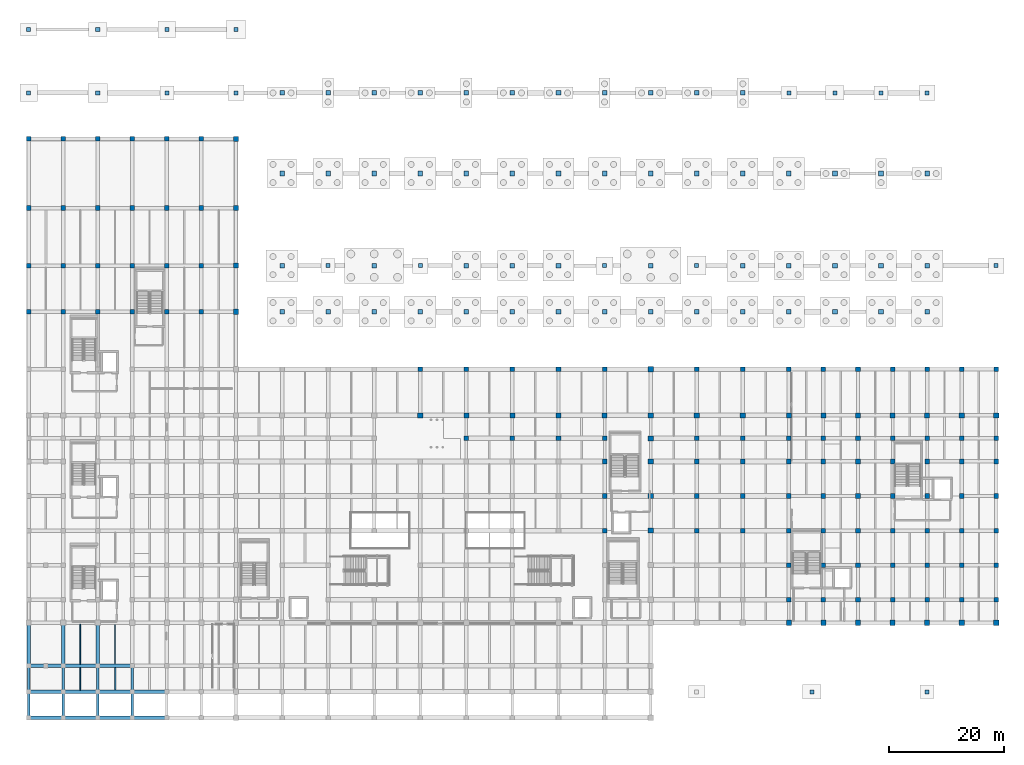
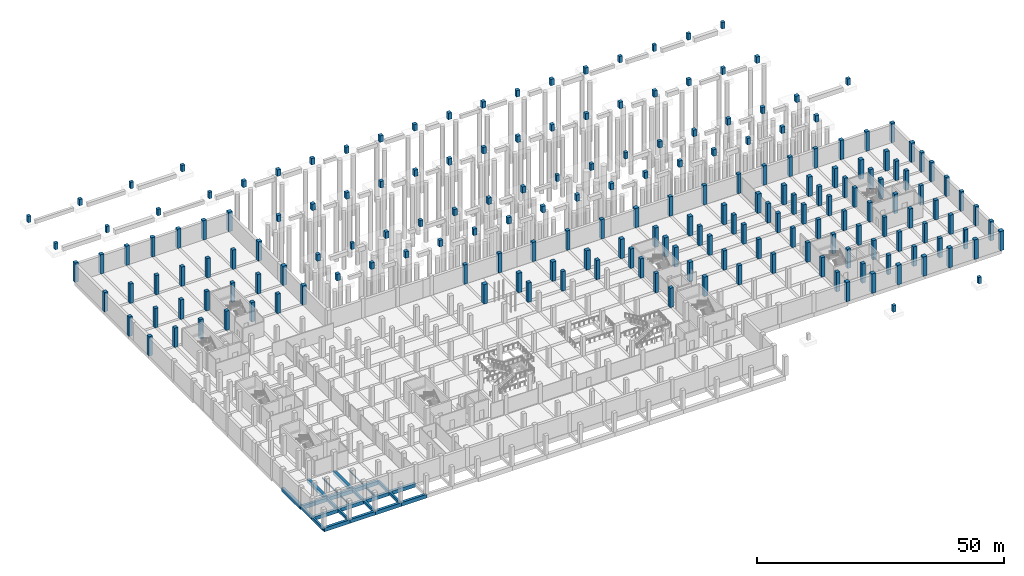
# One storey, part 10 of 36: 197 columns, 27 beams.
"""IFC4 building model written with IfcOpenShell, lengths in metres."""

from ifc_helpers import new_model, si_unit, direction, frame, origin, origin_2d, place, context, subcontext, project, spatial, rectangle, i_section, extrude, material, material_profile, profile_set, type_object, element, save


model = new_model("IFC4")

# Units and contexts
model_context = context("Model", 3, precision=1e-05, world=origin(), true_north=direction((0.0, 1.0)))
body_context = subcontext(model_context, "Body", "Model", "MODEL_VIEW")
ifc_project = project(units=[si_unit("LENGTHUNIT", "METRE"), si_unit("AREAUNIT", "SQUARE_METRE"), si_unit("VOLUMEUNIT", "CUBIC_METRE"), si_unit("PLANEANGLEUNIT", "RADIAN"), si_unit("MASSUNIT", "GRAM", prefix="KILO")], contexts=[model_context])

# Site, building, storey
site_placement = place(None, origin())
site = spatial("IfcSite", under=ifc_project, at=site_placement, CompositionType="ELEMENT")
building_placement = place(site_placement, origin())
building = spatial("IfcBuilding", under=site, at=building_placement, Name="Verrall Gate Interchange", CompositionType="ELEMENT")
storey_placement = place(building_placement, frame((0.0, 0.0, -4.800048828125)))
storey = spatial("IfcBuildingStorey", under=building, at=storey_placement, Name="B1", CompositionType="ELEMENT", Elevation=-4.800048828125)

# Columns
ifc_material_1 = material(Name="Concrete CSA A23.1 40 MPa (Class N)", Category="concrete")
ifc_material_profile_1 = material_profile(ifc_material_1, rectangle(XDim=0.89990234375, YDim=0.89990234375, at=origin_2d()), Name="RC900x900")
ifc_profile_set_1 = profile_set([ifc_material_profile_1], Name="Concrete CSA A23.1 40 MPa (Class N)")
column_type_1 = type_object("IfcColumnType", Name="C-01 Column RC900x900", PredefinedType="COLUMN", material=ifc_profile_set_1)
for number, where, z_axis, x_axis, name in (
    (1, (36.0, 66.0, 0.0), (0.0, 0.0, 1.0), (1.0, 0.0, 0.0), "B1 Column COL-B1-0803 (C-01)"),
    (2, (36.0, 74.0, 0.0), (0.0, 0.0, 1.0), (1.0, 0.0, 0.0), "B1 Column COL-B1-0810 (C-01)"),
    (3, (36.0, 84.0, 0.0), (0.0, 0.0, 1.0), (1.0, 0.0, 0.0), "B1 Column COL-B1-0816 (C-01)"),
    (4, (36.0, 96.0, 0.0), (0.0, 0.0, 1.0), (1.0, 0.0, 0.0), "B1 Column COL-B1-0821 (C-01)"),
    (5, (68.0, 48.0, 0.0), (0.0, 0.0, 1.0), (1.0, 0.0, 0.0), "B1 Column COL-B1-0963 (C-01)"),
    (6, (76.0, 48.0, 0.0), (0.0, 0.0, 1.0), (1.0, 0.0, 0.0), "B1 Column COL-B1-1001 (C-01)"),
    (7, (84.0, 48.0, 0.0), (0.0, 0.0, 1.0), (1.0, 0.0, 0.0), "B1 Column COL-B1-1039 (C-01)"),
    (8, (92.0, 48.0, 0.0), (0.0, 0.0, 1.0), (1.0, 0.0, 0.0), "B1 Column COL-B1-1075 (C-01)"),
    (9, (100.0, 48.0, 0.0), (0.0, 0.0, 1.0), (1.0, 0.0, 0.0), "B1 Column COL-B1-1113 (C-01)"),
    (10, (108.0, 28.0, 0.0), (0.0, 0.0, 1.0), (1.0, 0.0, 0.0), "B1 Column COL-B1-1143 (C-01)"),
    (11, (108.0, 34.0, 0.0), (0.0, 0.0, 1.0), (1.0, 0.0, 0.0), "B1 Column COL-B1-1147 (C-01)"),
    (12, (108.0, 40.0, 0.0), (0.0, 0.0, 1.0), (1.0, 0.0, 0.0), "B1 Column COL-B1-1151 (C-01)"),
    (13, (108.0, 44.0, 0.0), (0.0, 0.0, 1.0), (1.0, 0.0, 0.0), "B1 Column COL-B1-1155 (C-01)"),
    (14, (108.0, 48.0, 0.0), (0.0, 0.0, 1.0), (1.0, 0.0, 0.0), "B1 Column COL-B1-1159 (C-01)"),
    (15, (108.0, 56.0, 0.0), (0.0, 0.0, 1.0), (1.0, 0.0, 0.0), "B1 Column COL-B1-1163 (C-01)"),
    (16, (116.0, 48.0, 0.0), (0.0, 0.0, 1.0), (1.0, 0.0, 0.0), "B1 Column COL-B1-1181 (C-01)"),
    (17, (124.0, 48.0, 0.0), (0.0, 0.0, 1.0), (1.0, 0.0, 0.0), "B1 Column COL-B1-1203 (C-01)"),
    (18, (132.0, 12.0, 0.0), (0.0, 0.0, 1.0), (1.0, 0.0, 0.0), "B1 Column COL-B1-1211 (C-01)"),
    (19, (132.0, 48.0, 0.0), (0.0, 0.0, 1.0), (1.0, 0.0, 0.0), "B1 Column COL-B1-1246 (C-01)"),
    (20, (138.0, 12.0, 0.0), (0.0, 0.0, 1.0), (1.0, 0.0, 0.0), "B1 Column COL-B1-1254 (C-01)"),
    (21, (138.0, 48.0, 0.0), (0.0, 0.0, 1.0), (1.0, 0.0, 0.0), "B1 Column COL-B1-1289 (C-01)"),
    (22, (144.0, 12.0, 0.0), (0.0, 0.0, 1.0), (1.0, 0.0, 0.0), "B1 Column COL-B1-1297 (C-01)"),
    (23, (144.0, 48.0, 0.0), (0.0, 0.0, 1.0), (1.0, 0.0, 0.0), "B1 Column COL-B1-1332 (C-01)"),
    (24, (150.0, 12.0, 0.0), (0.0, 0.0, 1.0), (1.0, 0.0, 0.0), "B1 Column COL-B1-1340 (C-01)"),
    (25, (150.0, 48.0, 0.0), (0.0, 0.0, 1.0), (1.0, 0.0, 0.0), "B1 Column COL-B1-1375 (C-01)"),
    (26, (156.0, 12.0, 0.0), (0.0, 0.0, 1.0), (1.0, 0.0, 0.0), "B1 Column COL-B1-1383 (C-01)"),
    (27, (156.0, 48.0, 0.0), (0.0, 0.0, 1.0), (1.0, 0.0, 0.0), "B1 Column COL-B1-1418 (C-01)"),
    (28, (162.0, 12.0, 0.0), (0.0, 0.0, 1.0), (1.0, 0.0, 0.0), "B1 Column COL-B1-1426 (C-01)"),
    (29, (162.0, 48.0, 0.0), (0.0, 0.0, 1.0), (1.0, 0.0, 0.0), "B1 Column COL-B1-1461 (C-01)"),
    (30, (168.0, 12.0, 0.0), (0.0, 0.0, 1.0), (1.0, 0.0, 0.0), "B1 Column COL-B1-1469 (C-01)"),
    (31, (168.0, 48.0, 0.0), (0.0, 0.0, 1.0), (1.0, 0.0, 0.0), "B1 Column COL-B1-1504 (C-01)"),
):
    element("IfcColumn", number, at=place(storey_placement, frame(where, z_axis=z_axis, x_axis=x_axis)), inside=storey, type_object=column_type_1, Name=name, PredefinedType="COLUMN", context=body_context, shape_type="SweptSolid", body=[
        extrude(rectangle(XDim=0.89990234375, YDim=0.89990234375, at=origin_2d()), origin(), (0.0, 0.0, 1.0), 4.800048828125),
    ])
ifc_material_2 = material(Name="Concrete CSA A23.1 40 MPa (Class N)", Category="concrete")
ifc_material_profile_2 = material_profile(ifc_material_2, rectangle(XDim=0.800048828125, YDim=0.800048828125, at=origin_2d()), Name="RC800x800")
ifc_profile_set_2 = profile_set([ifc_material_profile_2], Name="Concrete CSA A23.1 40 MPa (Class N)")
column_type_2 = type_object("IfcColumnType", Name="C-02 Column RC800x800", PredefinedType="COLUMN", material=ifc_profile_set_2)
for number, where, z_axis, x_axis, name in (
    (32, (0.0, 66.0, 0.0), (0.0, 0.0, 1.0), (1.0, 0.0, 0.0), "B1 Column COL-B1-0080 (C-02)"),
    (33, (0.0, 74.0, 0.0), (0.0, 0.0, 1.0), (1.0, 0.0, 0.0), "B1 Column COL-B1-0087 (C-02)"),
    (34, (0.0, 84.0, 0.0), (0.0, 0.0, 1.0), (1.0, 0.0, 0.0), "B1 Column COL-B1-0093 (C-02)"),
    (35, (0.0, 96.0, 0.0), (0.0, 0.0, 1.0), (1.0, 0.0, 0.0), "B1 Column COL-B1-0098 (C-02)"),
    (36, (6.0, 66.0, 0.0), (0.0, 0.0, 1.0), (1.0, 0.0, 0.0), "B1 Column COL-B1-0225 (C-02)"),
    (37, (6.0, 74.0, 0.0), (0.0, 0.0, 1.0), (1.0, 0.0, 0.0), "B1 Column COL-B1-0232 (C-02)"),
    (38, (6.0, 84.0, 0.0), (0.0, 0.0, 1.0), (1.0, 0.0, 0.0), "B1 Column COL-B1-0238 (C-02)"),
    (39, (6.0, 96.0, 0.0), (0.0, 0.0, 1.0), (1.0, 0.0, 0.0), "B1 Column COL-B1-0243 (C-02)"),
    (40, (12.0, 66.0, 0.0), (0.0, 0.0, 1.0), (1.0, 0.0, 0.0), "B1 Column COL-B1-0342 (C-02)"),
    (41, (12.0, 74.0, 0.0), (0.0, 0.0, 1.0), (1.0, 0.0, 0.0), "B1 Column COL-B1-0349 (C-02)"),
    (42, (12.0, 84.0, 0.0), (0.0, 0.0, 1.0), (1.0, 0.0, 0.0), "B1 Column COL-B1-0355 (C-02)"),
    (43, (12.0, 96.0, 0.0), (0.0, 0.0, 1.0), (1.0, 0.0, 0.0), "B1 Column COL-B1-0360 (C-02)"),
    (44, (18.0, 66.0, 0.0), (0.0, 0.0, 1.0), (1.0, 0.0, 0.0), "B1 Column COL-B1-0459 (C-02)"),
    (45, (18.0, 74.0, 0.0), (0.0, 0.0, 1.0), (1.0, 0.0, 0.0), "B1 Column COL-B1-0466 (C-02)"),
    (46, (18.0, 84.0, 0.0), (0.0, 0.0, 1.0), (1.0, 0.0, 0.0), "B1 Column COL-B1-0472 (C-02)"),
    (47, (18.0, 96.0, 0.0), (0.0, 0.0, 1.0), (1.0, 0.0, 0.0), "B1 Column COL-B1-0477 (C-02)"),
    (48, (24.0, 66.0, 0.0), (0.0, 0.0, 1.0), (1.0, 0.0, 0.0), "B1 Column COL-B1-0576 (C-02)"),
    (49, (24.0, 74.0, 0.0), (0.0, 0.0, 1.0), (1.0, 0.0, 0.0), "B1 Column COL-B1-0583 (C-02)"),
    (50, (24.0, 84.0, 0.0), (0.0, 0.0, 1.0), (1.0, 0.0, 0.0), "B1 Column COL-B1-0589 (C-02)"),
    (51, (24.0, 96.0, 0.0), (0.0, 0.0, 1.0), (1.0, 0.0, 0.0), "B1 Column COL-B1-0594 (C-02)"),
    (52, (30.0, 66.0, 0.0), (0.0, 0.0, 1.0), (1.0, 0.0, 0.0), "B1 Column COL-B1-0693 (C-02)"),
    (53, (30.0, 74.0, 0.0), (0.0, 0.0, 1.0), (1.0, 0.0, 0.0), "B1 Column COL-B1-0700 (C-02)"),
    (54, (30.0, 84.0, 0.0), (0.0, 0.0, 1.0), (1.0, 0.0, 0.0), "B1 Column COL-B1-0706 (C-02)"),
    (55, (30.0, 96.0, 0.0), (0.0, 0.0, 1.0), (1.0, 0.0, 0.0), "B1 Column COL-B1-0711 (C-02)"),
    (56, (68.0, 56.0, 0.0), (0.0, 0.0, 1.0), (1.0, 0.0, 0.0), "B1 Column COL-B1-0967 (C-02)"),
    (57, (76.0, 44.0, 0.0), (0.0, 0.0, 1.0), (1.0, 0.0, 0.0), "B1 Column COL-B1-0997 (C-02)"),
    (58, (76.0, 56.0, 0.0), (0.0, 0.0, 1.0), (1.0, 0.0, 0.0), "B1 Column COL-B1-1005 (C-02)"),
    (59, (84.0, 44.0, 0.0), (0.0, 0.0, 1.0), (1.0, 0.0, 0.0), "B1 Column COL-B1-1035 (C-02)"),
    (60, (84.0, 56.0, 0.0), (0.0, 0.0, 1.0), (1.0, 0.0, 0.0), "B1 Column COL-B1-1043 (C-02)"),
    (61, (92.0, 44.0, 0.0), (0.0, 0.0, 1.0), (1.0, 0.0, 0.0), "B1 Column COL-B1-1071 (C-02)"),
    (62, (92.0, 56.0, 0.0), (0.0, 0.0, 1.0), (1.0, 0.0, 0.0), "B1 Column COL-B1-1079 (C-02)"),
    (63, (100.0, 28.0, 0.0), (0.0, 0.0, 1.0), (1.0, 0.0, 0.0), "B1 Column COL-B1-1103 (C-02)"),
    (64, (100.0, 34.0, 0.0), (0.0, 0.0, 1.0), (1.0, 0.0, 0.0), "B1 Column COL-B1-1105 (C-02)"),
    (65, (100.0, 40.0, 0.0), (0.0, 0.0, 1.0), (1.0, 0.0, 0.0), "B1 Column COL-B1-1107 (C-02)"),
    (66, (100.0, 44.0, 0.0), (0.0, 0.0, 1.0), (1.0, 0.0, 0.0), "B1 Column COL-B1-1109 (C-02)"),
    (67, (100.0, 56.0, 0.0), (0.0, 0.0, 1.0), (1.0, 0.0, 0.0), "B1 Column COL-B1-1117 (C-02)"),
    (68, (116.0, 28.0, 0.0), (0.0, 0.0, 1.0), (1.0, 0.0, 0.0), "B1 Column COL-B1-1173 (C-02)"),
    (69, (116.0, 34.0, 0.0), (0.0, 0.0, 1.0), (1.0, 0.0, 0.0), "B1 Column COL-B1-1175 (C-02)"),
    (70, (116.0, 40.0, 0.0), (0.0, 0.0, 1.0), (1.0, 0.0, 0.0), "B1 Column COL-B1-1177 (C-02)"),
    (71, (116.0, 44.0, 0.0), (0.0, 0.0, 1.0), (1.0, 0.0, 0.0), "B1 Column COL-B1-1179 (C-02)"),
    (72, (116.0, 56.0, 0.0), (0.0, 0.0, 1.0), (1.0, 0.0, 0.0), "B1 Column COL-B1-1185 (C-02)"),
    (73, (124.0, 28.0, 0.0), (0.0, 0.0, 1.0), (1.0, 0.0, 0.0), "B1 Column COL-B1-1195 (C-02)"),
    (74, (124.0, 34.0, 0.0), (0.0, 0.0, 1.0), (1.0, 0.0, 0.0), "B1 Column COL-B1-1197 (C-02)"),
    (75, (124.0, 40.0, 0.0), (0.0, 0.0, 1.0), (1.0, 0.0, 0.0), "B1 Column COL-B1-1199 (C-02)"),
    (76, (124.0, 44.0, 0.0), (0.0, 0.0, 1.0), (1.0, 0.0, 0.0), "B1 Column COL-B1-1201 (C-02)"),
    (77, (124.0, 56.0, 0.0), (0.0, 0.0, 1.0), (1.0, 0.0, 0.0), "B1 Column COL-B1-1207 (C-02)"),
    (78, (132.0, 16.0, 0.0), (0.0, 0.0, 1.0), (1.0, 0.0, 0.0), "B1 Column COL-B1-1216 (C-02)"),
    (79, (132.0, 22.0, 0.0), (0.0, 0.0, 1.0), (1.0, 0.0, 0.0), "B1 Column COL-B1-1221 (C-02)"),
    (80, (132.0, 28.0, 0.0), (0.0, 0.0, 1.0), (1.0, 0.0, 0.0), "B1 Column COL-B1-1226 (C-02)"),
    (81, (132.0, 34.0, 0.0), (0.0, 0.0, 1.0), (1.0, 0.0, 0.0), "B1 Column COL-B1-1231 (C-02)"),
    (82, (132.0, 40.0, 0.0), (0.0, 0.0, 1.0), (1.0, 0.0, 0.0), "B1 Column COL-B1-1236 (C-02)"),
    (83, (132.0, 44.0, 0.0), (0.0, 0.0, 1.0), (1.0, 0.0, 0.0), "B1 Column COL-B1-1241 (C-02)"),
    (84, (132.0, 56.0, 0.0), (0.0, 0.0, 1.0), (1.0, 0.0, 0.0), "B1 Column COL-B1-1250 (C-02)"),
    (85, (138.0, 16.0, 0.0), (0.0, 0.0, 1.0), (1.0, 0.0, 0.0), "B1 Column COL-B1-1259 (C-02)"),
    (86, (138.0, 22.0, 0.0), (0.0, 0.0, 1.0), (1.0, 0.0, 0.0), "B1 Column COL-B1-1264 (C-02)"),
    (87, (138.0, 28.0, 0.0), (0.0, 0.0, 1.0), (1.0, 0.0, 0.0), "B1 Column COL-B1-1269 (C-02)"),
    (88, (138.0, 34.0, 0.0), (0.0, 0.0, 1.0), (1.0, 0.0, 0.0), "B1 Column COL-B1-1274 (C-02)"),
    (89, (138.0, 40.0, 0.0), (0.0, 0.0, 1.0), (1.0, 0.0, 0.0), "B1 Column COL-B1-1279 (C-02)"),
    (90, (138.0, 44.0, 0.0), (0.0, 0.0, 1.0), (1.0, 0.0, 0.0), "B1 Column COL-B1-1284 (C-02)"),
    (91, (138.0, 56.0, 0.0), (0.0, 0.0, 1.0), (1.0, 0.0, 0.0), "B1 Column COL-B1-1293 (C-02)"),
    (92, (144.0, 16.0, 0.0), (0.0, 0.0, 1.0), (1.0, 0.0, 0.0), "B1 Column COL-B1-1302 (C-02)"),
    (93, (144.0, 22.0, 0.0), (0.0, 0.0, 1.0), (1.0, 0.0, 0.0), "B1 Column COL-B1-1307 (C-02)"),
    (94, (144.0, 28.0, 0.0), (0.0, 0.0, 1.0), (1.0, 0.0, 0.0), "B1 Column COL-B1-1312 (C-02)"),
    (95, (144.0, 34.0, 0.0), (0.0, 0.0, 1.0), (1.0, 0.0, 0.0), "B1 Column COL-B1-1317 (C-02)"),
    (96, (144.0, 40.0, 0.0), (0.0, 0.0, 1.0), (1.0, 0.0, 0.0), "B1 Column COL-B1-1322 (C-02)"),
    (97, (144.0, 44.0, 0.0), (0.0, 0.0, 1.0), (1.0, 0.0, 0.0), "B1 Column COL-B1-1327 (C-02)"),
    (98, (144.0, 56.0, 0.0), (0.0, 0.0, 1.0), (1.0, 0.0, 0.0), "B1 Column COL-B1-1336 (C-02)"),
    (99, (150.0, 16.0, 0.0), (0.0, 0.0, 1.0), (1.0, 0.0, 0.0), "B1 Column COL-B1-1345 (C-02)"),
    (100, (150.0, 22.0, 0.0), (0.0, 0.0, 1.0), (1.0, 0.0, 0.0), "B1 Column COL-B1-1350 (C-02)"),
    (101, (150.0, 28.0, 0.0), (0.0, 0.0, 1.0), (1.0, 0.0, 0.0), "B1 Column COL-B1-1355 (C-02)"),
    (102, (150.0, 34.0, 0.0), (0.0, 0.0, 1.0), (1.0, 0.0, 0.0), "B1 Column COL-B1-1360 (C-02)"),
    (103, (150.0, 40.0, 0.0), (0.0, 0.0, 1.0), (1.0, 0.0, 0.0), "B1 Column COL-B1-1365 (C-02)"),
    (104, (150.0, 44.0, 0.0), (0.0, 0.0, 1.0), (1.0, 0.0, 0.0), "B1 Column COL-B1-1370 (C-02)"),
    (105, (150.0, 56.0, 0.0), (0.0, 0.0, 1.0), (1.0, 0.0, 0.0), "B1 Column COL-B1-1379 (C-02)"),
    (106, (156.0, 16.0, 0.0), (0.0, 0.0, 1.0), (1.0, 0.0, 0.0), "B1 Column COL-B1-1388 (C-02)"),
    (107, (156.0, 22.0, 0.0), (0.0, 0.0, 1.0), (1.0, 0.0, 0.0), "B1 Column COL-B1-1393 (C-02)"),
    (108, (156.0, 28.0, 0.0), (0.0, 0.0, 1.0), (1.0, 0.0, 0.0), "B1 Column COL-B1-1398 (C-02)"),
    (109, (156.0, 34.0, 0.0), (0.0, 0.0, 1.0), (1.0, 0.0, 0.0), "B1 Column COL-B1-1403 (C-02)"),
    (110, (156.0, 40.0, 0.0), (0.0, 0.0, 1.0), (1.0, 0.0, 0.0), "B1 Column COL-B1-1408 (C-02)"),
    (111, (156.0, 44.0, 0.0), (0.0, 0.0, 1.0), (1.0, 0.0, 0.0), "B1 Column COL-B1-1413 (C-02)"),
    (112, (156.0, 56.0, 0.0), (0.0, 0.0, 1.0), (1.0, 0.0, 0.0), "B1 Column COL-B1-1422 (C-02)"),
    (113, (162.0, 16.0, 0.0), (0.0, 0.0, 1.0), (1.0, 0.0, 0.0), "B1 Column COL-B1-1431 (C-02)"),
    (114, (162.0, 22.0, 0.0), (0.0, 0.0, 1.0), (1.0, 0.0, 0.0), "B1 Column COL-B1-1436 (C-02)"),
    (115, (162.0, 28.0, 0.0), (0.0, 0.0, 1.0), (1.0, 0.0, 0.0), "B1 Column COL-B1-1441 (C-02)"),
    (116, (162.0, 34.0, 0.0), (0.0, 0.0, 1.0), (1.0, 0.0, 0.0), "B1 Column COL-B1-1446 (C-02)"),
    (117, (162.0, 40.0, 0.0), (0.0, 0.0, 1.0), (1.0, 0.0, 0.0), "B1 Column COL-B1-1451 (C-02)"),
    (118, (162.0, 44.0, 0.0), (0.0, 0.0, 1.0), (1.0, 0.0, 0.0), "B1 Column COL-B1-1456 (C-02)"),
    (119, (162.0, 56.0, 0.0), (0.0, 0.0, 1.0), (1.0, 0.0, 0.0), "B1 Column COL-B1-1465 (C-02)"),
    (120, (168.0, 16.0, 0.0), (0.0, 0.0, 1.0), (1.0, 0.0, 0.0), "B1 Column COL-B1-1474 (C-02)"),
    (121, (168.0, 22.0, 0.0), (0.0, 0.0, 1.0), (1.0, 0.0, 0.0), "B1 Column COL-B1-1479 (C-02)"),
    (122, (168.0, 28.0, 0.0), (0.0, 0.0, 1.0), (1.0, 0.0, 0.0), "B1 Column COL-B1-1484 (C-02)"),
    (123, (168.0, 34.0, 0.0), (0.0, 0.0, 1.0), (1.0, 0.0, 0.0), "B1 Column COL-B1-1489 (C-02)"),
    (124, (168.0, 40.0, 0.0), (0.0, 0.0, 1.0), (1.0, 0.0, 0.0), "B1 Column COL-B1-1494 (C-02)"),
    (125, (168.0, 44.0, 0.0), (0.0, 0.0, 1.0), (1.0, 0.0, 0.0), "B1 Column COL-B1-1499 (C-02)"),
    (126, (168.0, 56.0, 0.0), (0.0, 0.0, 1.0), (1.0, 0.0, 0.0), "B1 Column COL-B1-1508 (C-02)"),
):
    element("IfcColumn", number, at=place(storey_placement, frame(where, z_axis=z_axis, x_axis=x_axis)), inside=storey, type_object=column_type_2, Name=name, PredefinedType="COLUMN", context=body_context, shape_type="SweptSolid", body=[
        extrude(rectangle(XDim=0.800048828125, YDim=0.800048828125, at=origin_2d()), origin(), (0.0, 0.0, 1.0), 4.800048828125),
    ])
for number, where, z_axis, x_axis, name in (
    (127, (60.0, 74.0, 3.199951171875), (0.0, 0.0, 1.0), (1.0, 0.0, 0.0), "Foundation Pedestal Column 1529"),
    (128, (108.0, 74.0, 3.199951171875), (0.0, 0.0, 1.0), (1.0, 0.0, 0.0), "Foundation Pedestal Column 1531"),
    (129, (44.0, 66.0, 3.199951171875), (0.0, 0.0, 1.0), (1.0, 0.0, 0.0), "Foundation Pedestal Column 1533"),
    (130, (52.0, 66.0, 3.199951171875), (0.0, 0.0, 1.0), (1.0, 0.0, 0.0), "Foundation Pedestal Column 1535"),
    (131, (60.0, 66.0, 3.199951171875), (0.0, 0.0, 1.0), (1.0, 0.0, 0.0), "Foundation Pedestal Column 1537"),
    (132, (68.0, 66.0, 3.199951171875), (0.0, 0.0, 1.0), (1.0, 0.0, 0.0), "Foundation Pedestal Column 1539"),
    (133, (76.0, 66.0, 3.199951171875), (0.0, 0.0, 1.0), (1.0, 0.0, 0.0), "Foundation Pedestal Column 1541"),
    (134, (84.0, 66.0, 3.199951171875), (0.0, 0.0, 1.0), (1.0, 0.0, 0.0), "Foundation Pedestal Column 1543"),
    (135, (92.0, 66.0, 3.199951171875), (0.0, 0.0, 1.0), (1.0, 0.0, 0.0), "Foundation Pedestal Column 1545"),
    (136, (100.0, 66.0, 3.199951171875), (0.0, 0.0, 1.0), (1.0, 0.0, 0.0), "Foundation Pedestal Column 1547"),
    (137, (108.0, 66.0, 3.199951171875), (0.0, 0.0, 1.0), (1.0, 0.0, 0.0), "Foundation Pedestal Column 1549"),
    (138, (116.0, 66.0, 3.199951171875), (0.0, 0.0, 1.0), (1.0, 0.0, 0.0), "Foundation Pedestal Column 1551"),
    (139, (124.0, 66.0, 3.199951171875), (0.0, 0.0, 1.0), (1.0, 0.0, 0.0), "Foundation Pedestal Column 1553"),
    (140, (132.0, 66.0, 3.199951171875), (0.0, 0.0, 1.0), (1.0, 0.0, 0.0), "Foundation Pedestal Column 1555"),
    (141, (140.0, 66.0, 3.199951171875), (0.0, 0.0, 1.0), (1.0, 0.0, 0.0), "Foundation Pedestal Column 1557"),
    (142, (148.0, 66.0, 3.199951171875), (0.0, 0.0, 1.0), (1.0, 0.0, 0.0), "Foundation Pedestal Column 1559"),
    (143, (156.0, 66.0, 3.199951171875), (0.0, 0.0, 1.0), (1.0, 0.0, 0.0), "Foundation Pedestal Column 1561"),
    (144, (44.0, 74.0, 3.199951171875), (0.0, 0.0, 1.0), (1.0, 0.0, 0.0), "Foundation Pedestal Column 1563"),
    (145, (76.0, 74.0, 3.199951171875), (0.0, 0.0, 1.0), (1.0, 0.0, 0.0), "Foundation Pedestal Column 1565"),
    (146, (84.0, 74.0, 3.199951171875), (0.0, 0.0, 1.0), (1.0, 0.0, 0.0), "Foundation Pedestal Column 1567"),
    (147, (92.0, 74.0, 3.199951171875), (0.0, 0.0, 1.0), (1.0, 0.0, 0.0), "Foundation Pedestal Column 1569"),
    (148, (124.0, 74.0, 3.199951171875), (0.0, 0.0, 1.0), (1.0, 0.0, 0.0), "Foundation Pedestal Column 1571"),
    (149, (132.0, 74.0, 3.199951171875), (0.0, 0.0, 1.0), (1.0, 0.0, 0.0), "Foundation Pedestal Column 1573"),
    (150, (140.0, 74.0, 3.199951171875), (0.0, 0.0, 1.0), (1.0, 0.0, 0.0), "Foundation Pedestal Column 1575"),
    (151, (148.0, 74.0, 3.199951171875), (0.0, 0.0, 1.0), (1.0, 0.0, 0.0), "Foundation Pedestal Column 1577"),
    (152, (156.0, 74.0, 3.199951171875), (0.0, 0.0, 1.0), (1.0, 0.0, 0.0), "Foundation Pedestal Column 1579"),
    (153, (44.0, 90.0, 3.199951171875), (0.0, 0.0, 1.0), (1.0, 0.0, 0.0), "Foundation Pedestal Column 1581"),
    (154, (52.0, 90.0, 3.199951171875), (0.0, 0.0, 1.0), (1.0, 0.0, 0.0), "Foundation Pedestal Column 1583"),
    (155, (60.0, 90.0, 3.199951171875), (0.0, 0.0, 1.0), (1.0, 0.0, 0.0), "Foundation Pedestal Column 1585"),
    (156, (68.0, 90.0, 3.199951171875), (0.0, 0.0, 1.0), (1.0, 0.0, 0.0), "Foundation Pedestal Column 1587"),
    (157, (76.0, 90.0, 3.199951171875), (0.0, 0.0, 1.0), (1.0, 0.0, 0.0), "Foundation Pedestal Column 1589"),
    (158, (84.0, 90.0, 3.199951171875), (0.0, 0.0, 1.0), (1.0, 0.0, 0.0), "Foundation Pedestal Column 1591"),
    (159, (92.0, 90.0, 3.199951171875), (0.0, 0.0, 1.0), (1.0, 0.0, 0.0), "Foundation Pedestal Column 1593"),
    (160, (100.0, 90.0, 3.199951171875), (0.0, 0.0, 1.0), (1.0, 0.0, 0.0), "Foundation Pedestal Column 1595"),
    (161, (108.0, 90.0, 3.199951171875), (0.0, 0.0, 1.0), (1.0, 0.0, 0.0), "Foundation Pedestal Column 1597"),
    (162, (116.0, 90.0, 3.199951171875), (0.0, 0.0, 1.0), (1.0, 0.0, 0.0), "Foundation Pedestal Column 1599"),
    (163, (124.0, 90.0, 3.199951171875), (0.0, 0.0, 1.0), (1.0, 0.0, 0.0), "Foundation Pedestal Column 1601"),
    (164, (132.0, 90.0, 3.199951171875), (0.0, 0.0, 1.0), (1.0, 0.0, 0.0), "Foundation Pedestal Column 1603"),
    (165, (140.0, 90.0, 3.199951171875), (0.0, 0.0, 1.0), (1.0, 0.0, 0.0), "Foundation Pedestal Column 1605"),
    (166, (148.0, 90.0, 3.199951171875), (0.0, 0.0, 1.0), (1.0, 0.0, 0.0), "Foundation Pedestal Column 1607"),
    (167, (156.0, 90.0, 3.199951171875), (0.0, 0.0, 1.0), (1.0, 0.0, 0.0), "Foundation Pedestal Column 1609"),
    (168, (44.0, 104.0, 3.199951171875), (0.0, 0.0, 1.0), (1.0, 0.0, 0.0), "Foundation Pedestal Column 1611"),
    (169, (52.0, 104.0, 3.199951171875), (0.0, 0.0, 1.0), (1.0, 0.0, 0.0), "Foundation Pedestal Column 1613"),
    (170, (60.0, 104.0, 3.199951171875), (0.0, 0.0, 1.0), (1.0, 0.0, 0.0), "Foundation Pedestal Column 1615"),
    (171, (68.0, 104.0, 3.199951171875), (0.0, 0.0, 1.0), (1.0, 0.0, 0.0), "Foundation Pedestal Column 1617"),
    (172, (76.0, 104.0, 3.199951171875), (0.0, 0.0, 1.0), (1.0, 0.0, 0.0), "Foundation Pedestal Column 1619"),
    (173, (84.0, 104.0, 3.199951171875), (0.0, 0.0, 1.0), (1.0, 0.0, 0.0), "Foundation Pedestal Column 1621"),
    (174, (92.0, 104.0, 3.199951171875), (0.0, 0.0, 1.0), (1.0, 0.0, 0.0), "Foundation Pedestal Column 1623"),
    (175, (100.0, 104.0, 3.199951171875), (0.0, 0.0, 1.0), (1.0, 0.0, 0.0), "Foundation Pedestal Column 1625"),
    (176, (108.0, 104.0, 3.199951171875), (0.0, 0.0, 1.0), (1.0, 0.0, 0.0), "Foundation Pedestal Column 1627"),
    (177, (116.0, 104.0, 3.199951171875), (0.0, 0.0, 1.0), (1.0, 0.0, 0.0), "Foundation Pedestal Column 1629"),
    (178, (124.0, 104.0, 3.199951171875), (0.0, 0.0, 1.0), (1.0, 0.0, 0.0), "Foundation Pedestal Column 1631"),
):
    element("IfcColumn", number, at=place(storey_placement, frame(where, z_axis=z_axis, x_axis=x_axis)), inside=storey, type_object=column_type_2, Name=name, PredefinedType="COLUMN", context=body_context, shape_type="SweptSolid", body=[
        extrude(rectangle(XDim=0.800048828125, YDim=0.800048828125, at=origin_2d()), origin(), (0.0, 0.0, 1.0), 1.60009765625),
    ])
ifc_material_3 = material(Name="Concrete CSA A23.1 40 MPa (Class N)", Category="concrete")
ifc_material_profile_3 = material_profile(ifc_material_3, rectangle(XDim=0.699951171875, YDim=0.699951171875, at=origin_2d()), Name="RC700x700")
ifc_profile_set_3 = profile_set([ifc_material_profile_3], Name="Concrete CSA A23.1 40 MPa (Class N)")
column_type_3 = type_object("IfcColumnType", Name="C-03 Column RC700x700", PredefinedType="COLUMN", material=ifc_profile_set_3)
for number, where, z_axis, x_axis, name in (
    (179, (52.0, 74.0, 3.199951171875), (0.0, 0.0, 1.0), (1.0, 0.0, 0.0), "Canopy Foundation Pier 1633"),
    (180, (68.0, 74.0, 3.199951171875), (0.0, 0.0, 1.0), (1.0, 0.0, 0.0), "Canopy Foundation Pier 1635"),
    (181, (100.0, 74.0, 3.199951171875), (0.0, 0.0, 1.0), (1.0, 0.0, 0.0), "Canopy Foundation Pier 1637"),
    (182, (116.0, 74.0, 3.199951171875), (0.0, 0.0, 1.0), (1.0, 0.0, 0.0), "Canopy Foundation Pier 1639"),
    (183, (132.0, 104.0, 3.199951171875), (0.0, 0.0, 1.0), (1.0, 0.0, 0.0), "Canopy Foundation Pier 1641"),
    (184, (140.0, 104.0, 3.199951171875), (0.0, 0.0, 1.0), (1.0, 0.0, 0.0), "Canopy Foundation Pier 1643"),
    (185, (148.0, 104.0, 3.199951171875), (0.0, 0.0, 1.0), (1.0, 0.0, 0.0), "Canopy Foundation Pier 1645"),
    (186, (156.0, 104.0, 3.199951171875), (0.0, 0.0, 1.0), (1.0, 0.0, 0.0), "Canopy Foundation Pier 1647"),
    (187, (0.0, 104.0, 3.199951171875), (0.0, 0.0, 1.0), (1.0, 0.0, 0.0), "Canopy Foundation Pier 1649"),
    (188, (12.0, 104.0, 3.199951171875), (0.0, 0.0, 1.0), (1.0, 0.0, 0.0), "Canopy Foundation Pier 1651"),
    (189, (0.0, 115.0, 3.199951171875), (0.0, 0.0, 1.0), (1.0, 0.0, 0.0), "Canopy Foundation Pier 1653"),
    (190, (12.0, 115.0, 3.199951171875), (0.0, 0.0, 1.0), (1.0, 0.0, 0.0), "Canopy Foundation Pier 1655"),
    (191, (24.0, 104.0, 3.199951171875), (0.0, 0.0, 1.0), (1.0, 0.0, 0.0), "Canopy Foundation Pier 1657"),
    (192, (36.0, 104.0, 3.199951171875), (0.0, 0.0, 1.0), (1.0, 0.0, 0.0), "Canopy Foundation Pier 1658"),
    (193, (24.0, 115.0, 3.199951171875), (0.0, 0.0, 1.0), (1.0, 0.0, 0.0), "Canopy Foundation Pier 1659"),
    (194, (36.0, 115.0, 3.199951171875), (0.0, 0.0, 1.0), (1.0, 0.0, 0.0), "Canopy Foundation Pier 1660"),
    (195, (136.0, 0.0, 3.199951171875), (0.0, 0.0, 1.0), (1.0, 0.0, 0.0), "Canopy Foundation Pier 1662"),
    (196, (156.0, 0.0, 3.199951171875), (0.0, 0.0, 1.0), (1.0, 0.0, 0.0), "Canopy Foundation Pier 1663"),
    (197, (168.0, 74.0, 3.199951171875), (0.0, 0.0, 1.0), (1.0, 0.0, 0.0), "Canopy Foundation Pier 1664"),
):
    element("IfcColumn", number, at=place(storey_placement, frame(where, z_axis=z_axis, x_axis=x_axis)), inside=storey, type_object=column_type_3, Name=name, PredefinedType="COLUMN", context=body_context, shape_type="SweptSolid", body=[
        extrude(rectangle(XDim=0.699951171875, YDim=0.699951171875, at=origin_2d()), origin(), (0.0, 0.0, 1.0), 1.60009765625),
    ])

# Beams
ifc_material_4 = material(Name="Concrete CSA A23.1 40 MPa (Class N)", Category="concrete")
ifc_material_profile_4 = material_profile(ifc_material_4, rectangle(XDim=0.60009765625, YDim=0.89990234375, at=origin_2d()), Name="RC600x900")
ifc_profile_set_4 = profile_set([ifc_material_profile_4], Name="Concrete CSA A23.1 40 MPa (Class N)")
beam_type_1 = type_object("IfcBeamType", Name="B-02 Structural Beam RC600x900", PredefinedType="BEAM", material=ifc_profile_set_4)
for number, where, z_axis, x_axis, name in (
    (198, (0.0, -4.5, -0.449951171875), (1.0, 0.0, 0.0), (0.0, 1.0, 0.0), "B1 Girder BM-B1-0001 (B-02)"),
    (199, (6.0, -4.5, -0.449951171875), (1.0, 0.0, 0.0), (0.0, 1.0, 0.0), "B1 Girder BM-B1-0002 (B-02)"),
    (200, (12.0, -4.5, -0.449951171875), (1.0, 0.0, 0.0), (0.0, 1.0, 0.0), "B1 Girder BM-B1-0003 (B-02)"),
    (201, (18.0, -4.5, -0.449951171875), (1.0, 0.0, 0.0), (0.0, 1.0, 0.0), "B1 Girder BM-B1-0004 (B-02)"),
    (202, (0.0, 0.0, -0.449951171875), (1.0, 0.0, 0.0), (0.0, 1.0, 0.0), "B1 Girder BM-B1-0016 (B-02)"),
    (203, (6.0, 0.0, -0.449951171875), (1.0, 0.0, 0.0), (0.0, 1.0, 0.0), "B1 Girder BM-B1-0017 (B-02)"),
    (204, (12.0, 0.0, -0.449951171875), (1.0, 0.0, 0.0), (0.0, 1.0, 0.0), "B1 Girder BM-B1-0018 (B-02)"),
    (205, (18.0, 0.0, -0.449951171875), (1.0, 0.0, 0.0), (0.0, 1.0, 0.0), "B1 Girder BM-B1-0019 (B-02)"),
):
    element("IfcBeam", number, at=place(storey_placement, frame(where, z_axis=z_axis, x_axis=x_axis)), inside=storey, type_object=beam_type_1, Name=name, PredefinedType="BEAM", context=body_context, shape_type="SweptSolid", body=[
        extrude(rectangle(XDim=0.60009765625, YDim=0.89990234375, at=origin_2d()), origin(), (0.0, 0.0, 1.0), 6.0),
    ])
for number, where, z_axis, x_axis, name in (
    (206, (0.0, 4.5, -0.449951171875), (1.0, 0.0, 0.0), (0.0, 1.0, 0.0), "B1 Girder BM-B1-0031 (B-02)"),
    (207, (3.0, 4.5, -0.449951171875), (1.0, 0.0, 0.0), (0.0, 1.0, 0.0), "B1 Girder BM-B1-0032 (B-02)"),
):
    element("IfcBeam", number, at=place(storey_placement, frame(where, z_axis=z_axis, x_axis=x_axis)), inside=storey, type_object=beam_type_1, Name=name, PredefinedType="BEAM", context=body_context, shape_type="SweptSolid", body=[
        extrude(rectangle(XDim=0.60009765625, YDim=0.89990234375, at=origin_2d()), origin(), (0.0, 0.0, 1.0), 3.0),
    ])
for number, where, z_axis, x_axis, name in (
    (208, (6.0, 4.5, -0.449951171875), (1.0, 0.0, 0.0), (0.0, 1.0, 0.0), "B1 Girder BM-B1-0033 (B-02)"),
    (209, (12.0, 4.5, -0.449951171875), (1.0, 0.0, 0.0), (0.0, 1.0, 0.0), "B1 Girder BM-B1-0034 (B-02)"),
):
    element("IfcBeam", number, at=place(storey_placement, frame(where, z_axis=z_axis, x_axis=x_axis)), inside=storey, type_object=beam_type_1, Name=name, PredefinedType="BEAM", context=body_context, shape_type="SweptSolid", body=[
        extrude(rectangle(XDim=0.60009765625, YDim=0.89990234375, at=origin_2d()), origin(), (0.0, 0.0, 1.0), 6.0),
    ])
for number, where, z_axis, x_axis, name in (
    (210, (0.0, 4.5, -0.449951171875), (0.0, 1.0, 0.0), (-1.0, 0.0, 0.0), "B1 Girder BM-B1-0265 (B-02)"),
    (211, (6.0, 4.5, -0.449951171875), (0.0, 1.0, 0.0), (-1.0, 0.0, 0.0), "B1 Girder BM-B1-0281 (B-02)"),
    (212, (12.0, 4.5, -0.449951171875), (0.0, 1.0, 0.0), (-1.0, 0.0, 0.0), "B1 Girder BM-B1-0296 (B-02)"),
):
    element("IfcBeam", number, at=place(storey_placement, frame(where, z_axis=z_axis, x_axis=x_axis)), inside=storey, type_object=beam_type_1, Name=name, PredefinedType="BEAM", context=body_context, shape_type="SweptSolid", body=[
        extrude(rectangle(XDim=0.60009765625, YDim=0.89990234375, at=origin_2d()), origin(), (0.0, 0.0, 1.0), 7.5),
    ])
ifc_material_5 = material(Name="Concrete CSA A23.1 40 MPa (Class N)", Category="concrete")
ifc_material_profile_5 = material_profile(ifc_material_5, rectangle(XDim=0.449951171875, YDim=0.699951171875, at=origin_2d()), Name="RC450x700")
ifc_profile_set_5 = profile_set([ifc_material_profile_5], Name="Concrete CSA A23.1 40 MPa (Class N)")
beam_type_2 = type_object("IfcBeamType", Name="B-03 Structural Beam RC450x700", PredefinedType="BEAM", material=ifc_profile_set_5)
for number, where, z_axis, x_axis, name in (
    (213, (0.0, -4.5, -0.349853515625), (0.0, 1.0, 0.0), (-1.0, 0.0, 0.0), "B1 Girder BM-B1-0263 (B-03)"),
    (214, (0.0, 0.0, -0.349853515625), (0.0, 1.0, 0.0), (-1.0, 0.0, 0.0), "B1 Girder BM-B1-0264 (B-03)"),
    (215, (6.0, -4.5, -0.349853515625), (0.0, 1.0, 0.0), (-1.0, 0.0, 0.0), "B1 Girder BM-B1-0279 (B-03)"),
    (216, (6.0, 0.0, -0.349853515625), (0.0, 1.0, 0.0), (-1.0, 0.0, 0.0), "B1 Girder BM-B1-0280 (B-03)"),
    (217, (12.0, -4.5, -0.349853515625), (0.0, 1.0, 0.0), (-1.0, 0.0, 0.0), "B1 Girder BM-B1-0294 (B-03)"),
    (218, (12.0, 0.0, -0.349853515625), (0.0, 1.0, 0.0), (-1.0, 0.0, 0.0), "B1 Girder BM-B1-0295 (B-03)"),
    (219, (18.0, -4.5, -0.349853515625), (0.0, 1.0, 0.0), (-1.0, 0.0, 0.0), "B1 Girder BM-B1-0309 (B-03)"),
    (220, (18.0, 0.0, -0.349853515625), (0.0, 1.0, 0.0), (-1.0, 0.0, 0.0), "B1 Girder BM-B1-0310 (B-03)"),
):
    element("IfcBeam", number, at=place(storey_placement, frame(where, z_axis=z_axis, x_axis=x_axis)), inside=storey, type_object=beam_type_2, Name=name, PredefinedType="BEAM", context=body_context, shape_type="SweptSolid", body=[
        extrude(rectangle(XDim=0.449951171875, YDim=0.699951171875, at=origin_2d()), origin(), (0.0, 0.0, 1.0), 4.5),
    ])
ifc_material_6 = material(Name="Structural Steel CSA G40.21 350W", Category="steel")
ifc_material_profile_6 = material_profile(ifc_material_6, i_section(OverallWidth=0.172119140625, OverallDepth=0.35791015625, WebThickness=0.0078125, FlangeThickness=0.01318359375, FilletRadius=0.010986328125, at=origin_2d()), Name="W360x57")
ifc_profile_set_6 = profile_set([ifc_material_profile_6], Name="Structural Steel CSA G40.21 350W")
beam_type_3 = type_object("IfcBeamType", Name="J-01 Floor Joist W360x57", PredefinedType="JOIST", material=ifc_profile_set_6)
beam_1_placement = place(storey_placement, frame((9.0, 4.800048828125, -0.62890625), z_axis=(0.0, 1.0, 0.0), x_axis=(-1.0, 0.0, 0.0)))
element("IfcBeam", 221, at=beam_1_placement, inside=storey, type_object=beam_type_3, Name="B1 Secondary Floor Joist JST-B1-0548", PredefinedType="JOIST", context=body_context, shape_type="SweptSolid", body=[
    extrude(i_section(OverallWidth=0.172119140625, OverallDepth=0.35791015625, WebThickness=0.0078125, FlangeThickness=0.01318359375, FilletRadius=0.010986328125, at=origin_2d()), origin(), (0.0, 0.0, 1.0), 6.89990234375),
])
ifc_material_7 = material(Name="Structural Steel CSA G40.21 350W", Category="steel")
ifc_material_profile_7 = material_profile(ifc_material_7, i_section(OverallWidth=0.25390625, OverallDepth=0.305908203125, WebThickness=0.0087890625, FlangeThickness=0.0146484375, FilletRadius=0.012939453125, at=origin_2d()), Name="W310x79")
ifc_profile_set_7 = profile_set([ifc_material_profile_7], Name="Structural Steel CSA G40.21 350W")
beam_type_4 = type_object("IfcBeamType", Name="J-03 Floor Joist W310x79", PredefinedType="JOIST", material=ifc_profile_set_7)
beam_2_placement = place(storey_placement, frame((15.0, 0.300048828125, -0.60302734375), z_axis=(0.0, 1.0, 0.0), x_axis=(-1.0, 0.0, 0.0)))
element("IfcBeam", 222, at=beam_2_placement, inside=storey, type_object=beam_type_4, Name="B1 Secondary Floor Joist JST-B1-0535", PredefinedType="JOIST", context=body_context, shape_type="SweptSolid", body=[
    extrude(i_section(OverallWidth=0.25390625, OverallDepth=0.305908203125, WebThickness=0.0087890625, FlangeThickness=0.0146484375, FilletRadius=0.012939453125, at=origin_2d()), origin(), (0.0, 0.0, 1.0), 3.89990234375),
])
ifc_material_8 = material(Name="Structural Steel CSA G40.21 350W", Category="steel")
ifc_material_profile_8 = material_profile(ifc_material_8, i_section(OverallWidth=0.1650390625, OverallDepth=0.31005859375, WebThickness=0.005859375, FlangeThickness=0.009765625, FilletRadius=0.010009765625, at=origin_2d()), Name="W310x39")
ifc_profile_set_8 = profile_set([ifc_material_profile_8], Name="Structural Steel CSA G40.21 350W")
beam_type_5 = type_object("IfcBeamType", Name="J-04 Floor Joist W310x39", PredefinedType="JOIST", material=ifc_profile_set_8)
beam_3_placement = place(storey_placement, frame((9.0, 0.300048828125, -0.60498046875), z_axis=(0.0, 1.0, 0.0), x_axis=(-1.0, 0.0, 0.0)))
element("IfcBeam", 223, at=beam_3_placement, inside=storey, type_object=beam_type_5, Name="B1 Secondary Floor Joist JST-B1-0534", PredefinedType="JOIST", context=body_context, shape_type="SweptSolid", body=[
    extrude(i_section(OverallWidth=0.1650390625, OverallDepth=0.31005859375, WebThickness=0.005859375, FlangeThickness=0.009765625, FilletRadius=0.010009765625, at=origin_2d()), origin(), (0.0, 0.0, 1.0), 3.89990234375),
])
ifc_material_9 = material(Name="Structural Steel CSA G40.21 350W", Category="steel")
ifc_material_profile_9 = material_profile(ifc_material_9, i_section(OverallWidth=0.202880859375, OverallDepth=0.202880859375, WebThickness=0.007080078125, FlangeThickness=0.010986328125, FilletRadius=0.010009765625, at=origin_2d()), Name="W200x46")
ifc_profile_set_9 = profile_set([ifc_material_profile_9], Name="Structural Steel CSA G40.21 350W")
beam_type_6 = type_object("IfcBeamType", Name="J-07 Floor Joist W200x46", PredefinedType="JOIST", material=ifc_profile_set_9)
beam_4_placement = place(storey_placement, frame((15.0, 4.800048828125, -0.551513671875), z_axis=(0.0, 1.0, 0.0), x_axis=(-1.0, 0.0, 0.0)))
element("IfcBeam", 224, at=beam_4_placement, inside=storey, type_object=beam_type_6, Name="B1 Secondary Floor Joist JST-B1-0549", PredefinedType="JOIST", context=body_context, shape_type="SweptSolid", body=[
    extrude(i_section(OverallWidth=0.202880859375, OverallDepth=0.202880859375, WebThickness=0.007080078125, FlangeThickness=0.010986328125, FilletRadius=0.010009765625, at=origin_2d()), origin(), (0.0, 0.0, 1.0), 6.89990234375),
])

save(model, "model.ifc")
